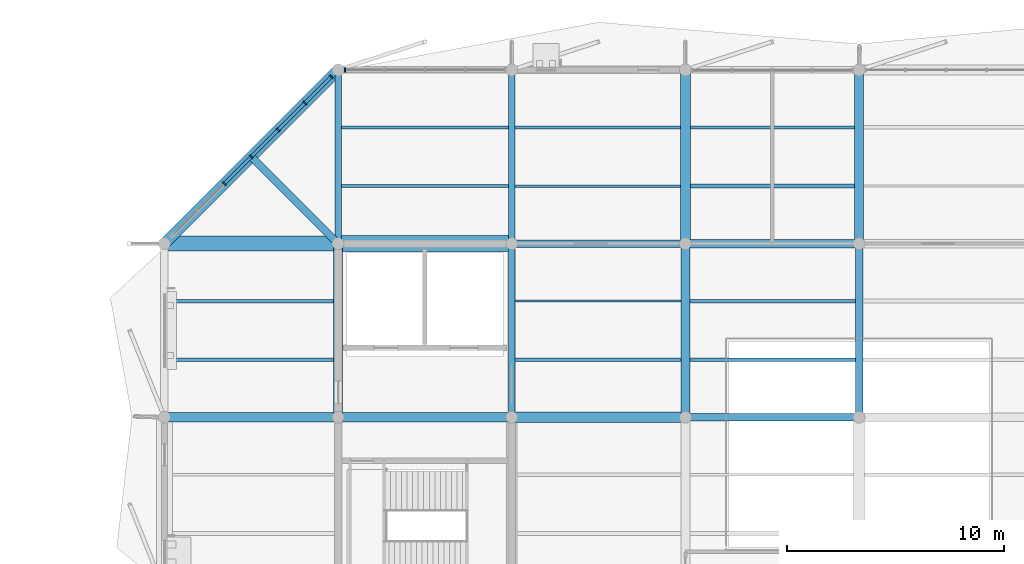
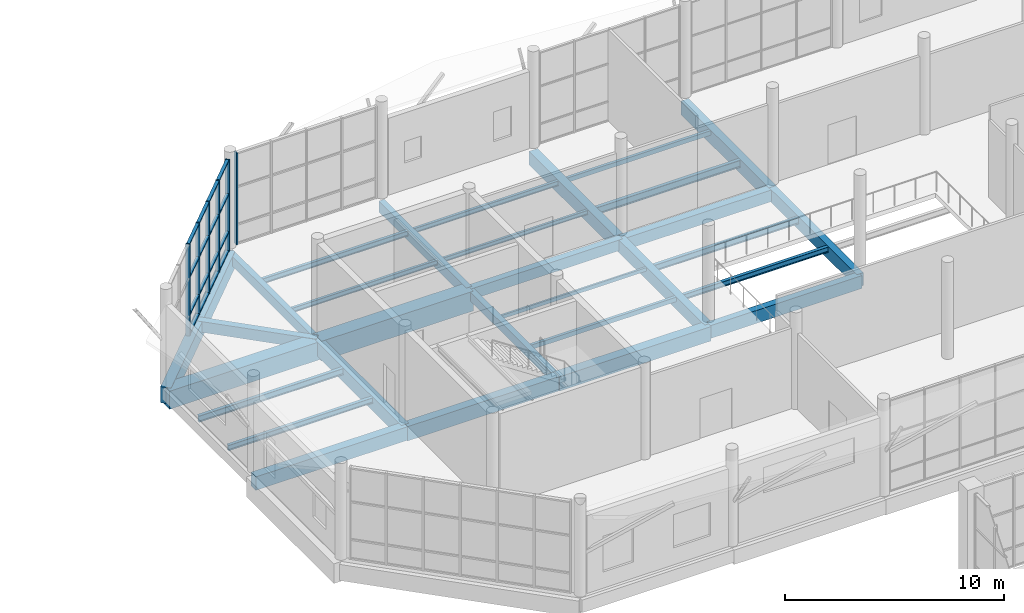
# One storey, part 48 of 122: 30 beams, 22 members, 2 elements without a shape of their own.
"""IFC4 building model written with IfcOpenShell, lengths in metres."""

from ifc_helpers import new_model, si_unit, direction, frame, origin, origin_2d, place, context, subcontext, project, spatial, rectangle, hollow_rectangle, i_section, extrude, material, material_profile, profile_set, type_object, element, aggregate, save


model = new_model("IFC4")

# Units and contexts
model_context = context("Model", 3, precision=1e-05, world=origin(), true_north=direction((0.0, 1.0)))
body_context = subcontext(model_context, "Body", "Model", "MODEL_VIEW")
ifc_project = project(units=[si_unit("LENGTHUNIT", "METRE"), si_unit("AREAUNIT", "SQUARE_METRE"), si_unit("VOLUMEUNIT", "CUBIC_METRE"), si_unit("PLANEANGLEUNIT", "RADIAN"), si_unit("MASSUNIT", "GRAM", prefix="KILO")], contexts=[model_context])

# Site, building, storey
site_placement = place(None, origin())
site = spatial("IfcSite", under=ifc_project, at=site_placement, CompositionType="ELEMENT")
building_placement = place(site_placement, origin())
building = spatial("IfcBuilding", under=site, at=building_placement, Name="Tenunan Teduh Sports Hall", CompositionType="ELEMENT")
storey_placement = place(building_placement, frame((0.0, 0.0, 5.39990234375)))
storey = spatial("IfcBuildingStorey", under=building, at=storey_placement, Name="L01", CompositionType="ELEMENT", Elevation=5.39990234375)

# Beams
ifc_material_1 = material(Name="Concrete C40/50", Category="concrete")
ifc_material_profile_1 = material_profile(ifc_material_1, rectangle(XDim=0.300048828125, YDim=0.5, at=origin_2d()), Name="RCB 300x500")
ifc_profile_set_1 = profile_set([ifc_material_profile_1], Name="Concrete C40/50")
beam_type_1 = type_object("IfcBeamType", Name="BM-RC-300x500", PredefinedType="BEAM", material=ifc_profile_set_1)
beam_1_placement = place(storey_placement, frame((114.0, 102.0, -0.510009765625), z_axis=(0.0, 1.0, 0.0), x_axis=(-1.0, 0.0, 0.0)))
element("IfcBeam", 1, at=beam_1_placement, inside=storey, type_object=beam_type_1, Name="BM-B-01-L01-1263", PredefinedType="BEAM", context=body_context, shape_type="SweptSolid", body=[
    extrude(rectangle(XDim=0.300048828125, YDim=0.5, at=origin_2d()), origin(), (0.0, 0.0, 1.0), 8.0),
])
ifc_material_2 = material(Name="Concrete C40/50", Category="concrete")
ifc_material_profile_2 = material_profile(ifc_material_2, rectangle(XDim=0.300048828125, YDim=0.550048828125, at=origin_2d()), Name="RCB 300x550")
ifc_profile_set_2 = profile_set([ifc_material_profile_2], Name="Concrete C40/50")
beam_type_2 = type_object("IfcBeamType", Name="BM-RC-300x550", PredefinedType="BEAM", material=ifc_profile_set_2)
beam_2_placement = place(storey_placement, frame((106.0, 110.0, -0.534912109375), z_axis=(0.0, 1.0, 0.0), x_axis=(-1.0, 0.0, 0.0)))
element("IfcBeam", 2, at=beam_2_placement, inside=storey, type_object=beam_type_2, Name="BM-B-02-L01-1259", PredefinedType="BEAM", context=body_context, shape_type="SweptSolid", body=[
    extrude(rectangle(XDim=0.300048828125, YDim=0.550048828125, at=origin_2d()), origin(), (0.0, 0.0, 1.0), 8.0),
])
ifc_material_3 = material(Name="Concrete C40/50", Category="concrete")
ifc_material_profile_3 = material_profile(ifc_material_3, rectangle(XDim=0.300048828125, YDim=0.60009765625, at=origin_2d()), Name="RCB 300x600")
ifc_profile_set_3 = profile_set([ifc_material_profile_3], Name="Concrete C40/50")
beam_type_3 = type_object("IfcBeamType", Name="BM-RC-300x600", PredefinedType="BEAM", material=ifc_profile_set_3)
beam_3_placement = place(storey_placement, frame((114.0, 110.0, -0.559814453125), z_axis=(0.0, 1.0, 0.0), x_axis=(-1.0, 0.0, 0.0)))
element("IfcBeam", 3, at=beam_3_placement, inside=storey, type_object=beam_type_3, Name="BM-B-03-L01-1264", PredefinedType="BEAM", context=body_context, shape_type="SweptSolid", body=[
    extrude(rectangle(XDim=0.300048828125, YDim=0.60009765625, at=origin_2d()), origin(), (0.0, 0.0, 1.0), 8.0),
])
ifc_material_4 = material(Name="Concrete C40/50", Category="concrete")
ifc_material_profile_4 = material_profile(ifc_material_4, rectangle(XDim=0.35009765625, YDim=0.60009765625, at=origin_2d()), Name="RCB 350x600")
ifc_profile_set_4 = profile_set([ifc_material_profile_4], Name="Concrete C40/50")
beam_type_4 = type_object("IfcBeamType", Name="BM-RC-350x600", PredefinedType="BEAM", material=ifc_profile_set_4)
beam_4_placement = place(storey_placement, frame((114.0, 110.0, -0.559814453125), z_axis=(1.0, 0.0, 0.0), x_axis=(0.0, 1.0, 0.0)))
element("IfcBeam", 4, at=beam_4_placement, inside=storey, type_object=beam_type_4, Name="BM-B-04-L01-1166", PredefinedType="BEAM", context=body_context, shape_type="SweptSolid", body=[
    extrude(rectangle(XDim=0.35009765625, YDim=0.60009765625, at=origin_2d()), origin(), (0.0, 0.0, 1.0), 8.0),
])
beam_5_placement = place(storey_placement, frame((106.0, 110.0, -0.5498046875), z_axis=(-0.707106781187, 0.707106781187, 0.0), x_axis=(-0.707106781187, -0.707106781187, 0.0)))
element("IfcBeam", 5, at=beam_5_placement, inside=storey, type_object=beam_type_4, Name="BM-B-04-L01-2232", PredefinedType="BEAM", context=body_context, shape_type="SweptSolid", body=[
    extrude(rectangle(XDim=0.35009765625, YDim=0.60009765625, at=origin_2d()), origin(), (0.0, 0.0, 1.0), 5.65673828125),
])
ifc_material_5 = material(Name="Concrete C40/50", Category="concrete")
ifc_material_profile_5 = material_profile(ifc_material_5, rectangle(XDim=0.39990234375, YDim=0.64990234375, at=origin_2d()), Name="RCB 400x650")
ifc_profile_set_5 = profile_set([ifc_material_profile_5], Name="Concrete C40/50")
beam_type_5 = type_object("IfcBeamType", Name="BM-RC-400x650", PredefinedType="BEAM", material=ifc_profile_set_5)
beam_6_placement = place(storey_placement, frame((122.0, 110.0, -0.5849609375), z_axis=(1.0, 0.0, 0.0), x_axis=(0.0, 1.0, 0.0)))
element("IfcBeam", 6, at=beam_6_placement, inside=storey, type_object=beam_type_5, Name="BM-B-07-L01-1167", PredefinedType="BEAM", context=body_context, shape_type="SweptSolid", body=[
    extrude(rectangle(XDim=0.39990234375, YDim=0.64990234375, at=origin_2d()), origin(), (0.0, 0.0, 1.0), 8.0),
])
ifc_material_6 = material(Name="Concrete C40/50", Category="concrete")
ifc_material_profile_6 = material_profile(ifc_material_6, rectangle(XDim=0.39990234375, YDim=0.699951171875, at=origin_2d()), Name="RCB 400x700")
ifc_profile_set_6 = profile_set([ifc_material_profile_6], Name="Concrete C40/50")
beam_type_6 = type_object("IfcBeamType", Name="BM-RC-400x700", PredefinedType="BEAM", material=ifc_profile_set_6)
beam_7_placement = place(storey_placement, frame((122.0, 102.0, -0.60986328125), z_axis=(0.0, 1.0, 0.0), x_axis=(-1.0, 0.0, 0.0)))
element("IfcBeam", 7, at=beam_7_placement, inside=storey, type_object=beam_type_6, Name="BM-B-08-L01-1275", PredefinedType="BEAM", context=body_context, shape_type="SweptSolid", body=[
    extrude(rectangle(XDim=0.39990234375, YDim=0.699951171875, at=origin_2d()), origin(), (0.0, 0.0, 1.0), 8.0),
])
ifc_material_7 = material(Name="Concrete C40/50", Category="concrete")
ifc_material_profile_7 = material_profile(ifc_material_7, rectangle(XDim=0.449951171875, YDim=0.75, at=origin_2d()), Name="RCB 450x750")
ifc_profile_set_7 = profile_set([ifc_material_profile_7], Name="Concrete C40/50")
beam_type_7 = type_object("IfcBeamType", Name="BM-RC-450x750", PredefinedType="BEAM", material=ifc_profile_set_7)
for number, where, z_axis, x_axis, name in (
    (8, (98.0, 102.0, -0.635009765625), (1.0, 0.0, 0.0), (0.0, 1.0, 0.0), "BM-B-11-L01-1147"),
    (9, (122.0, 110.0, -0.635009765625), (0.0, 1.0, 0.0), (-1.0, 0.0, 0.0), "BM-B-11-L01-1276"),
):
    element("IfcBeam", number, at=place(storey_placement, frame(where, z_axis=z_axis, x_axis=x_axis)), inside=storey, type_object=beam_type_7, Name=name, PredefinedType="BEAM", context=body_context, shape_type="SweptSolid", body=[
        extrude(rectangle(XDim=0.449951171875, YDim=0.75, at=origin_2d()), origin(), (0.0, 0.0, 1.0), 8.0),
    ])
ifc_material_8 = material(Name="Concrete C40/50", Category="concrete")
ifc_material_profile_8 = material_profile(ifc_material_8, rectangle(XDim=0.449951171875, YDim=0.800048828125, at=origin_2d()), Name="RCB 450x800")
ifc_profile_set_8 = profile_set([ifc_material_profile_8], Name="Concrete C40/50")
beam_type_8 = type_object("IfcBeamType", Name="BM-RC-450x800", PredefinedType="BEAM", material=ifc_profile_set_8)
beam_8_placement = place(storey_placement, frame((106.0, 102.0, -0.659912109375), z_axis=(1.0, 0.0, 0.0), x_axis=(0.0, 1.0, 0.0)))
element("IfcBeam", 10, at=beam_8_placement, inside=storey, type_object=beam_type_8, Name="BM-B-12-L01-1148", PredefinedType="BEAM", context=body_context, shape_type="SweptSolid", body=[
    extrude(rectangle(XDim=0.449951171875, YDim=0.800048828125, at=origin_2d()), origin(), (0.0, 0.0, 1.0), 8.0),
])
ifc_material_9 = material(Name="Concrete C40/50", Category="concrete")
ifc_material_profile_9 = material_profile(ifc_material_9, rectangle(XDim=0.5, YDim=0.800048828125, at=origin_2d()), Name="RCB 500x800")
ifc_profile_set_9 = profile_set([ifc_material_profile_9], Name="Concrete C40/50")
beam_type_9 = type_object("IfcBeamType", Name="BM-RC-500x800", PredefinedType="BEAM", material=ifc_profile_set_9)
beam_9_placement = place(storey_placement, frame((114.0, 102.0, -0.659912109375), z_axis=(1.0, 0.0, 0.0), x_axis=(0.0, 1.0, 0.0)))
element("IfcBeam", 11, at=beam_9_placement, inside=storey, type_object=beam_type_9, Name="BM-B-14-L01-1149", PredefinedType="BEAM", context=body_context, shape_type="SweptSolid", body=[
    extrude(rectangle(XDim=0.5, YDim=0.800048828125, at=origin_2d()), origin(), (0.0, 0.0, 1.0), 8.0),
])
ifc_material_10 = material(Name="Concrete C40/50", Category="concrete")
ifc_material_profile_10 = material_profile(ifc_material_10, rectangle(XDim=0.5, YDim=0.89990234375, at=origin_2d()), Name="RCB 500x900")
ifc_profile_set_10 = profile_set([ifc_material_profile_10], Name="Concrete C40/50")
beam_type_10 = type_object("IfcBeamType", Name="BM-RC-500x900", PredefinedType="BEAM", material=ifc_profile_set_10)
beam_10_placement = place(storey_placement, frame((98.0, 110.0, -0.699951171875), z_axis=(0.707106781187, 0.707106781187, 0.0), x_axis=(-0.707106781187, 0.707106781187, 0.0)))
element("IfcBeam", 12, at=beam_10_placement, inside=storey, type_object=beam_type_10, Name="BM-B-15-L01-0597", PredefinedType="BEAM", context=body_context, shape_type="SweptSolid", body=[
    extrude(rectangle(XDim=0.5, YDim=0.89990234375, at=origin_2d()), origin(), (0.0, 0.0, 1.0), 11.313720703125),
])
ifc_material_11 = material(Name="Concrete C40/50", Category="concrete")
ifc_material_profile_11 = material_profile(ifc_material_11, rectangle(XDim=0.699951171875, YDim=1.0, at=origin_2d()), Name="RCB 700x1000")
ifc_profile_set_11 = profile_set([ifc_material_profile_11], Name="Concrete C40/50")
beam_type_11 = type_object("IfcBeamType", Name="BM-RC-700x1000", PredefinedType="SPANDREL", material=ifc_profile_set_11)
beam_11_placement = place(storey_placement, frame((98.0, 110.0, -0.760009765625), z_axis=(1.0, 0.0, 0.0), x_axis=(0.0, 1.0, 0.0)))
element("IfcBeam", 13, at=beam_11_placement, inside=storey, type_object=beam_type_11, Name="BM-B-19-L01-1164", PredefinedType="SPANDREL", context=body_context, shape_type="SweptSolid", body=[
    extrude(rectangle(XDim=0.699951171875, YDim=1.0, at=origin_2d()), origin(), (0.0, 0.0, 1.0), 8.0),
])
ifc_material_12 = material(Name="Concrete C40/50", Category="concrete")
ifc_material_profile_12 = material_profile(ifc_material_12, rectangle(XDim=0.75, YDim=1.10009765625, at=origin_2d()), Name="RCB 750x1100")
ifc_profile_set_12 = profile_set([ifc_material_profile_12], Name="Concrete C40/50")
beam_type_12 = type_object("IfcBeamType", Name="BM-RC-750x1100", PredefinedType="SPANDREL", material=ifc_profile_set_12)
beam_12_placement = place(storey_placement, frame((106.0, 110.0, -0.809814453125), z_axis=(1.0, 0.0, 0.0), x_axis=(0.0, 1.0, 0.0)))
element("IfcBeam", 14, at=beam_12_placement, inside=storey, type_object=beam_type_12, Name="BM-B-20-L01-1165", PredefinedType="SPANDREL", context=body_context, shape_type="SweptSolid", body=[
    extrude(rectangle(XDim=0.75, YDim=1.10009765625, at=origin_2d()), origin(), (0.0, 0.0, 1.0), 8.0),
])
ifc_material_13 = material(Name="Concrete C40/50", Category="concrete")
ifc_material_profile_13 = material_profile(ifc_material_13, rectangle(XDim=0.35009765625, YDim=0.719970703125, at=origin_2d()), Name="TB 350x720")
ifc_profile_set_13 = profile_set([ifc_material_profile_13], Name="Concrete C40/50")
beam_type_13 = type_object("IfcBeamType", Name="BM-TB-350x720", PredefinedType="T_BEAM", material=ifc_profile_set_13)
for number, where, z_axis, x_axis, name in (
    (15, (122.0, 102.0, -0.619873046875), (1.0, 0.0, 0.0), (0.0, 1.0, 0.0), "BM-TB-01-L01-1150"),
    (16, (130.0, 102.0, -0.619873046875), (0.0, 1.0, 0.0), (-1.0, 0.0, 0.0), "BM-TB-01-L01-1279"),
):
    element("IfcBeam", number, at=place(storey_placement, frame(where, z_axis=z_axis, x_axis=x_axis)), inside=storey, type_object=beam_type_13, Name=name, PredefinedType="T_BEAM", context=body_context, shape_type="SweptSolid", body=[
        extrude(rectangle(XDim=0.35009765625, YDim=0.719970703125, at=origin_2d()), origin(), (0.0, 0.0, 1.0), 8.0),
    ])
ifc_material_14 = material(Name="Concrete C40/50", Category="concrete")
ifc_material_profile_14 = material_profile(ifc_material_14, rectangle(XDim=0.39990234375, YDim=0.780029296875, at=origin_2d()), Name="TB 400x780")
ifc_profile_set_14 = profile_set([ifc_material_profile_14], Name="Concrete C40/50")
beam_type_14 = type_object("IfcBeamType", Name="BM-TB-400x780", PredefinedType="T_BEAM", material=ifc_profile_set_14)
for number, where, z_axis, x_axis, name in (
    (17, (106.0, 102.0, -0.64990234375), (0.0, 1.0, 0.0), (-1.0, 0.0, 0.0), "BM-TB-02-L01-1258"),
    (18, (130.0, 110.0, -0.64990234375), (0.0, 1.0, 0.0), (-1.0, 0.0, 0.0), "BM-TB-02-L01-1280"),
):
    element("IfcBeam", number, at=place(storey_placement, frame(where, z_axis=z_axis, x_axis=x_axis)), inside=storey, type_object=beam_type_14, Name=name, PredefinedType="T_BEAM", context=body_context, shape_type="SweptSolid", body=[
        extrude(rectangle(XDim=0.39990234375, YDim=0.780029296875, at=origin_2d()), origin(), (0.0, 0.0, 1.0), 8.0),
    ])

# Curtain wall, members
ifc_material_15 = material(Name="Anodised aluminium", Category="aluminium")
curtain_wall_type = type_object("IfcCurtainWallType", Name="CW-UNIT-1", PredefinedType="NOTDEFINED", material=ifc_material_15)
curtain_wall_1_placement = place(storey_placement, origin())
curtain_wall_1 = element("IfcCurtainWall", 19, at=curtain_wall_1_placement, inside=storey, type_object=curtain_wall_type, Name="CW-CWM-200-L01-252", PredefinedType="NOTDEFINED")
ifc_material_16 = material(Name="Anodised aluminium", Category="aluminium")
ifc_material_profile_15 = material_profile(ifc_material_16, rectangle(XDim=0.070068359375, YDim=0.199951171875, at=origin_2d()), Name="CWM 70x200")
ifc_profile_set_15 = profile_set([ifc_material_profile_15], Name="Anodised aluminium")
member_type_1 = type_object("IfcMemberType", Name="CWM-200", PredefinedType="MULLION", material=ifc_profile_set_15)
member_1_placement = place(storey_placement, frame((100.762939453125, 112.762939453125, 0.0), z_axis=(0.0, 0.0, 1.0), x_axis=(0.707106781187, 0.707106781187, 0.0)))
member_1 = element("IfcMember", 20, at=member_1_placement, type_object=member_type_1, Name="CW-01 mullion 3", PredefinedType="MULLION", context=body_context, shape_type="SweptSolid", body=[
    extrude(rectangle(XDim=0.070068359375, YDim=0.199951171875, at=origin_2d()), origin(), (0.0, 0.0, 1.0), 5.1201171875),
])
member_2_placement = place(storey_placement, frame((102.0, 114.0, 0.0), z_axis=(0.0, 0.0, 1.0), x_axis=(0.707106781187, 0.707106781187, 0.0)))
member_2 = element("IfcMember", 21, at=member_2_placement, type_object=member_type_1, Name="CW-01 mullion 4", PredefinedType="MULLION", context=body_context, shape_type="SweptSolid", body=[
    extrude(rectangle(XDim=0.070068359375, YDim=0.199951171875, at=origin_2d()), origin(), (0.0, 0.0, 1.0), 5.1201171875),
])
member_3_placement = place(storey_placement, frame((103.237060546875, 115.237060546875, 0.0), z_axis=(0.0, 0.0, 1.0), x_axis=(0.707106781187, 0.707106781187, 0.0)))
member_3 = element("IfcMember", 22, at=member_3_placement, type_object=member_type_1, Name="CW-01 mullion 5", PredefinedType="MULLION", context=body_context, shape_type="SweptSolid", body=[
    extrude(rectangle(XDim=0.070068359375, YDim=0.199951171875, at=origin_2d()), origin(), (0.0, 0.0, 1.0), 5.1201171875),
])
member_4_placement = place(storey_placement, frame((104.47412109375, 116.47412109375, 0.0), z_axis=(0.0, 0.0, 1.0), x_axis=(0.707106781187, 0.707106781187, 0.0)))
member_4 = element("IfcMember", 23, at=member_4_placement, type_object=member_type_1, Name="CW-01 mullion 6", PredefinedType="MULLION", context=body_context, shape_type="SweptSolid", body=[
    extrude(rectangle(XDim=0.070068359375, YDim=0.199951171875, at=origin_2d()), origin(), (0.0, 0.0, 1.0), 5.1201171875),
])
member_5_placement = place(storey_placement, frame((105.6865234375, 117.6865234375, 0.0), z_axis=(0.0, 0.0, 1.0), x_axis=(0.707106781187, 0.707106781187, 0.0)))
member_5 = element("IfcMember", 24, at=member_5_placement, type_object=member_type_1, Name="CW-01 mullion 7", PredefinedType="MULLION", context=body_context, shape_type="SweptSolid", body=[
    extrude(rectangle(XDim=0.070068359375, YDim=0.199951171875, at=origin_2d()), origin(), (0.0, 0.0, 1.0), 5.1201171875),
])

# Curtain wall, member
curtain_wall_2_placement = place(storey_placement, origin())
curtain_wall_2 = element("IfcCurtainWall", 25, at=curtain_wall_2_placement, inside=storey, type_object=curtain_wall_type, Name="CW-CWM-220-L01-249", PredefinedType="NOTDEFINED")
ifc_material_17 = material(Name="Anodised aluminium", Category="aluminium")
ifc_material_profile_16 = material_profile(ifc_material_17, rectangle(XDim=0.074951171875, YDim=0.219970703125, at=origin_2d()), Name="CWM 75x220")
ifc_profile_set_16 = profile_set([ifc_material_profile_16], Name="Anodised aluminium")
member_type_2 = type_object("IfcMemberType", Name="CWM-220", PredefinedType="MULLION", material=ifc_profile_set_16)
member_6_placement = place(storey_placement, frame((106.3125, 118.0, 0.0), z_axis=(0.0, 0.0, 1.0), x_axis=(1.0, 0.0, 0.0)))
member_6 = element("IfcMember", 26, at=member_6_placement, type_object=member_type_2, Name="CW-01 mullion 1", PredefinedType="MULLION", context=body_context, shape_type="SweptSolid", body=[
    extrude(rectangle(XDim=0.074951171875, YDim=0.219970703125, at=origin_2d()), origin(), (0.0, 0.0, 1.0), 5.1201171875),
])
aggregate(curtain_wall_2, [member_6])

# Member
ifc_material_18 = material(Name="Anodised aluminium", Category="aluminium")
ifc_material_profile_17 = material_profile(ifc_material_18, rectangle(XDim=0.070068359375, YDim=0.159912109375, at=origin_2d()), Name="CWT 70x160")
ifc_profile_set_17 = profile_set([ifc_material_profile_17], Name="Anodised aluminium")
member_type_3 = type_object("IfcMemberType", Name="CWT-200", PredefinedType="USERDEFINED", material=ifc_profile_set_17)
member_7_placement = place(storey_placement, frame((100.78759765625, 112.78759765625, 0.03515625), z_axis=(0.707106781187, 0.707106781187, 0.0), x_axis=(0.0, 0.0, 1.0)))
member_7 = element("IfcMember", 27, at=member_7_placement, type_object=member_type_3, Name="CW-01 transom 3.1", ObjectType="TRANSOM", PredefinedType="USERDEFINED", context=body_context, shape_type="SweptSolid", body=[
    extrude(rectangle(XDim=0.070068359375, YDim=0.159912109375, at=origin_2d()), origin(), (0.0, 0.0, 1.0), 1.6796875),
])

member_8_placement = place(storey_placement, frame((100.78759765625, 112.78759765625, 1.10009765625), z_axis=(0.707106781187, 0.707106781187, 0.0), x_axis=(0.0, 0.0, 1.0)))
member_8 = element("IfcMember", 28, at=member_8_placement, type_object=member_type_3, Name="CW-01 transom 3.2", ObjectType="TRANSOM", PredefinedType="USERDEFINED", context=body_context, shape_type="SweptSolid", body=[
    extrude(rectangle(XDim=0.070068359375, YDim=0.159912109375, at=origin_2d()), origin(), (0.0, 0.0, 1.0), 1.6796875),
])

member_9_placement = place(storey_placement, frame((100.78759765625, 112.78759765625, 3.2001953125), z_axis=(0.707106781187, 0.707106781187, 0.0), x_axis=(0.0, 0.0, 1.0)))
member_9 = element("IfcMember", 29, at=member_9_placement, type_object=member_type_3, Name="CW-01 transom 3.3", ObjectType="TRANSOM", PredefinedType="USERDEFINED", context=body_context, shape_type="SweptSolid", body=[
    extrude(rectangle(XDim=0.070068359375, YDim=0.159912109375, at=origin_2d()), origin(), (0.0, 0.0, 1.0), 1.6796875),
])

member_10_placement = place(storey_placement, frame((100.78759765625, 112.78759765625, 5.085205078125), z_axis=(0.707106781187, 0.707106781187, 0.0), x_axis=(0.0, 0.0, 1.0)))
member_10 = element("IfcMember", 30, at=member_10_placement, type_object=member_type_3, Name="CW-01 transom 3.4", ObjectType="TRANSOM", PredefinedType="USERDEFINED", context=body_context, shape_type="SweptSolid", body=[
    extrude(rectangle(XDim=0.070068359375, YDim=0.159912109375, at=origin_2d()), origin(), (0.0, 0.0, 1.0), 1.6796875),
])

member_11_placement = place(storey_placement, frame((102.024658203125, 114.024658203125, 0.03515625), z_axis=(0.707106781187, 0.707106781187, 0.0), x_axis=(0.0, 0.0, 1.0)))
member_11 = element("IfcMember", 31, at=member_11_placement, type_object=member_type_3, Name="CW-01 transom 4.1", ObjectType="TRANSOM", PredefinedType="USERDEFINED", context=body_context, shape_type="SweptSolid", body=[
    extrude(rectangle(XDim=0.070068359375, YDim=0.159912109375, at=origin_2d()), origin(), (0.0, 0.0, 1.0), 1.6796875),
])

member_12_placement = place(storey_placement, frame((102.024658203125, 114.024658203125, 1.10009765625), z_axis=(0.707106781187, 0.707106781187, 0.0), x_axis=(0.0, 0.0, 1.0)))
member_12 = element("IfcMember", 32, at=member_12_placement, type_object=member_type_3, Name="CW-01 transom 4.2", ObjectType="TRANSOM", PredefinedType="USERDEFINED", context=body_context, shape_type="SweptSolid", body=[
    extrude(rectangle(XDim=0.070068359375, YDim=0.159912109375, at=origin_2d()), origin(), (0.0, 0.0, 1.0), 1.6796875),
])

member_13_placement = place(storey_placement, frame((102.024658203125, 114.024658203125, 3.2001953125), z_axis=(0.707106781187, 0.707106781187, 0.0), x_axis=(0.0, 0.0, 1.0)))
member_13 = element("IfcMember", 33, at=member_13_placement, type_object=member_type_3, Name="CW-01 transom 4.3", ObjectType="TRANSOM", PredefinedType="USERDEFINED", context=body_context, shape_type="SweptSolid", body=[
    extrude(rectangle(XDim=0.070068359375, YDim=0.159912109375, at=origin_2d()), origin(), (0.0, 0.0, 1.0), 1.6796875),
])

member_14_placement = place(storey_placement, frame((102.024658203125, 114.024658203125, 5.085205078125), z_axis=(0.707106781187, 0.707106781187, 0.0), x_axis=(0.0, 0.0, 1.0)))
member_14 = element("IfcMember", 34, at=member_14_placement, type_object=member_type_3, Name="CW-01 transom 4.4", ObjectType="TRANSOM", PredefinedType="USERDEFINED", context=body_context, shape_type="SweptSolid", body=[
    extrude(rectangle(XDim=0.070068359375, YDim=0.159912109375, at=origin_2d()), origin(), (0.0, 0.0, 1.0), 1.6796875),
])

member_15_placement = place(storey_placement, frame((103.261962890625, 115.261962890625, 0.03515625), z_axis=(0.707106781187, 0.707106781187, 0.0), x_axis=(0.0, 0.0, 1.0)))
member_15 = element("IfcMember", 35, at=member_15_placement, type_object=member_type_3, Name="CW-01 transom 5.1", ObjectType="TRANSOM", PredefinedType="USERDEFINED", context=body_context, shape_type="SweptSolid", body=[
    extrude(rectangle(XDim=0.070068359375, YDim=0.159912109375, at=origin_2d()), origin(), (0.0, 0.0, 1.0), 1.679443359375),
])

member_16_placement = place(storey_placement, frame((103.261962890625, 115.261962890625, 1.10009765625), z_axis=(0.707106781187, 0.707106781187, 0.0), x_axis=(0.0, 0.0, 1.0)))
member_16 = element("IfcMember", 36, at=member_16_placement, type_object=member_type_3, Name="CW-01 transom 5.2", ObjectType="TRANSOM", PredefinedType="USERDEFINED", context=body_context, shape_type="SweptSolid", body=[
    extrude(rectangle(XDim=0.070068359375, YDim=0.159912109375, at=origin_2d()), origin(), (0.0, 0.0, 1.0), 1.679443359375),
])

member_17_placement = place(storey_placement, frame((103.261962890625, 115.261962890625, 3.2001953125), z_axis=(0.707106781187, 0.707106781187, 0.0), x_axis=(0.0, 0.0, 1.0)))
member_17 = element("IfcMember", 37, at=member_17_placement, type_object=member_type_3, Name="CW-01 transom 5.3", ObjectType="TRANSOM", PredefinedType="USERDEFINED", context=body_context, shape_type="SweptSolid", body=[
    extrude(rectangle(XDim=0.070068359375, YDim=0.159912109375, at=origin_2d()), origin(), (0.0, 0.0, 1.0), 1.679443359375),
])

member_18_placement = place(storey_placement, frame((103.261962890625, 115.261962890625, 5.085205078125), z_axis=(0.707106781187, 0.707106781187, 0.0), x_axis=(0.0, 0.0, 1.0)))
member_18 = element("IfcMember", 38, at=member_18_placement, type_object=member_type_3, Name="CW-01 transom 5.4", ObjectType="TRANSOM", PredefinedType="USERDEFINED", context=body_context, shape_type="SweptSolid", body=[
    extrude(rectangle(XDim=0.070068359375, YDim=0.159912109375, at=origin_2d()), origin(), (0.0, 0.0, 1.0), 1.679443359375),
])

member_19_placement = place(storey_placement, frame((104.4990234375, 116.4990234375, 0.03515625), z_axis=(0.707106781187, 0.707106781187, 0.0), x_axis=(0.0, 0.0, 1.0)))
member_19 = element("IfcMember", 39, at=member_19_placement, type_object=member_type_3, Name="CW-01 transom 6.1", ObjectType="TRANSOM", PredefinedType="USERDEFINED", context=body_context, shape_type="SweptSolid", body=[
    extrude(rectangle(XDim=0.070068359375, YDim=0.159912109375, at=origin_2d()), origin(), (0.0, 0.0, 1.0), 1.64453125),
])

member_20_placement = place(storey_placement, frame((104.4990234375, 116.4990234375, 1.10009765625), z_axis=(0.707106781187, 0.707106781187, 0.0), x_axis=(0.0, 0.0, 1.0)))
member_20 = element("IfcMember", 40, at=member_20_placement, type_object=member_type_3, Name="CW-01 transom 6.2", ObjectType="TRANSOM", PredefinedType="USERDEFINED", context=body_context, shape_type="SweptSolid", body=[
    extrude(rectangle(XDim=0.070068359375, YDim=0.159912109375, at=origin_2d()), origin(), (0.0, 0.0, 1.0), 1.64453125),
])

member_21_placement = place(storey_placement, frame((104.4990234375, 116.4990234375, 3.2001953125), z_axis=(0.707106781187, 0.707106781187, 0.0), x_axis=(0.0, 0.0, 1.0)))
member_21 = element("IfcMember", 41, at=member_21_placement, type_object=member_type_3, Name="CW-01 transom 6.3", ObjectType="TRANSOM", PredefinedType="USERDEFINED", context=body_context, shape_type="SweptSolid", body=[
    extrude(rectangle(XDim=0.070068359375, YDim=0.159912109375, at=origin_2d()), origin(), (0.0, 0.0, 1.0), 1.64453125),
])

member_22_placement = place(storey_placement, frame((104.4990234375, 116.4990234375, 5.085205078125), z_axis=(0.707106781187, 0.707106781187, 0.0), x_axis=(0.0, 0.0, 1.0)))
member_22 = element("IfcMember", 42, at=member_22_placement, type_object=member_type_3, Name="CW-01 transom 6.4", ObjectType="TRANSOM", PredefinedType="USERDEFINED", context=body_context, shape_type="SweptSolid", body=[
    extrude(rectangle(XDim=0.070068359375, YDim=0.159912109375, at=origin_2d()), origin(), (0.0, 0.0, 1.0), 1.64453125),
])

aggregate(curtain_wall_1, [member_1, member_2, member_3, member_4, member_5, member_7, member_8, member_9, member_10, member_11, member_12, member_13, member_14, member_15, member_16, member_17, member_18, member_19, member_20, member_21, member_22])

# Beams
ifc_material_19 = material(Name="Steel S355", Category="steel")
ifc_material_profile_18 = material_profile(ifc_material_19, i_section(OverallWidth=0.1201171875, OverallDepth=0.239990234375, WebThickness=0.006103515625, FlangeThickness=0.009765625, FilletRadius=0.014892578125, at=origin_2d()), Name="IPE 240")
ifc_profile_set_18 = profile_set([ifc_material_profile_18], Name="Steel S355")
beam_type_15 = type_object("IfcBeamType", Name="JST-IPE240", PredefinedType="JOIST", material=ifc_profile_set_18)
beam_13_placement = place(storey_placement, frame((114.14990234375, 112.64990234375, -0.3798828125), z_axis=(1.0, 0.0, 0.0), x_axis=(0.0, 1.0, 0.0)))
element("IfcBeam", 43, at=beam_13_placement, inside=storey, type_object=beam_type_15, Name="BM-J-02-L01-1408", PredefinedType="JOIST", context=body_context, shape_type="SweptSolid", body=[
    extrude(i_section(OverallWidth=0.1201171875, OverallDepth=0.239990234375, WebThickness=0.006103515625, FlangeThickness=0.009765625, FilletRadius=0.014892578125, at=origin_2d()), origin(), (0.0, 0.0, 1.0), 7.625),
])
ifc_material_20 = material(Name="Steel S355", Category="steel")
ifc_material_profile_19 = material_profile(ifc_material_20, i_section(OverallWidth=0.135009765625, OverallDepth=0.27001953125, WebThickness=0.006591796875, FlangeThickness=0.01025390625, FilletRadius=0.014892578125, at=origin_2d()), Name="IPE 270")
ifc_profile_set_19 = profile_set([ifc_material_profile_19], Name="Steel S355")
beam_type_16 = type_object("IfcBeamType", Name="JST-IPE270", PredefinedType="JOIST", material=ifc_profile_set_19)
beam_14_placement = place(storey_placement, frame((106.14990234375, 112.64990234375, -0.39501953125), z_axis=(1.0, 0.0, 0.0), x_axis=(0.0, 1.0, 0.0)))
element("IfcBeam", 44, at=beam_14_placement, inside=storey, type_object=beam_type_16, Name="BM-J-03-L01-1398", PredefinedType="JOIST", context=body_context, shape_type="SweptSolid", body=[
    extrude(i_section(OverallWidth=0.135009765625, OverallDepth=0.27001953125, WebThickness=0.006591796875, FlangeThickness=0.01025390625, FilletRadius=0.014892578125, at=origin_2d()), origin(), (0.0, 0.0, 1.0), 7.7001953125),
])
beam_15_placement = place(storey_placement, frame((114.14990234375, 115.35009765625, -0.39501953125), z_axis=(1.0, 0.0, 0.0), x_axis=(0.0, 1.0, 0.0)))
element("IfcBeam", 45, at=beam_15_placement, inside=storey, type_object=beam_type_16, Name="BM-J-03-L01-1409", PredefinedType="JOIST", context=body_context, shape_type="SweptSolid", body=[
    extrude(i_section(OverallWidth=0.135009765625, OverallDepth=0.27001953125, WebThickness=0.006591796875, FlangeThickness=0.01025390625, FilletRadius=0.014892578125, at=origin_2d()), origin(), (0.0, 0.0, 1.0), 7.625),
])
ifc_material_21 = material(Name="Steel S355", Category="steel")
ifc_material_profile_20 = material_profile(ifc_material_21, i_section(OverallWidth=0.14990234375, OverallDepth=0.300048828125, WebThickness=0.007080078125, FlangeThickness=0.0107421875, FilletRadius=0.014892578125, at=origin_2d()), Name="IPE 300")
ifc_profile_set_20 = profile_set([ifc_material_profile_20], Name="Steel S355")
beam_type_17 = type_object("IfcBeamType", Name="JST-IPE300", PredefinedType="JOIST", material=ifc_profile_set_20)
beam_16_placement = place(storey_placement, frame((106.14990234375, 115.35009765625, -0.409912109375), z_axis=(1.0, 0.0, 0.0), x_axis=(0.0, 1.0, 0.0)))
element("IfcBeam", 46, at=beam_16_placement, inside=storey, type_object=beam_type_17, Name="BM-J-04-L01-1399", PredefinedType="JOIST", context=body_context, shape_type="SweptSolid", body=[
    extrude(i_section(OverallWidth=0.14990234375, OverallDepth=0.300048828125, WebThickness=0.007080078125, FlangeThickness=0.0107421875, FilletRadius=0.014892578125, at=origin_2d()), origin(), (0.0, 0.0, 1.0), 7.7001953125),
])
ifc_material_22 = material(Name="Steel S355", Category="steel")
ifc_material_profile_21 = material_profile(ifc_material_22, hollow_rectangle(XDim=0.10009765625, YDim=0.199951171875, WallThickness=0.008056640625, at=origin_2d()), Name="RHS 200x100x8.0")
ifc_profile_set_21 = profile_set([ifc_material_profile_21], Name="Steel S355")
beam_type_18 = type_object("IfcBeamType", Name="RBM-RHS200", PredefinedType="JOIST", material=ifc_profile_set_21)
beam_17_placement = place(storey_placement, frame((114.14990234375, 107.35009765625, -0.35986328125), z_axis=(1.0, 0.0, 0.0), x_axis=(0.0, 1.0, 0.0)))
element("IfcBeam", 47, at=beam_17_placement, inside=storey, type_object=beam_type_18, Name="Perimeter Ring Beam BM-RB-05-L01-1407", PredefinedType="JOIST", context=body_context, shape_type="SweptSolid", body=[
    extrude(hollow_rectangle(XDim=0.10009765625, YDim=0.199951171875, WallThickness=0.008056640625, at=origin_2d()), origin(), (0.0, 0.0, 1.0), 7.650146484375),
])
ifc_material_23 = material(Name="Steel S355", Category="steel")
ifc_material_profile_22 = material_profile(ifc_material_23, hollow_rectangle(XDim=0.14990234375, YDim=0.25, WallThickness=0.010009765625, at=origin_2d()), Name="RHS 250x150x10.0")
ifc_profile_set_22 = profile_set([ifc_material_profile_22], Name="Steel S355")
beam_type_19 = type_object("IfcBeamType", Name="RBM-RHS250", PredefinedType="BEAM", material=ifc_profile_set_22)
beam_18_placement = place(storey_placement, frame((114.14990234375, 104.64990234375, -0.385009765625), z_axis=(1.0, 0.0, 0.0), x_axis=(0.0, 1.0, 0.0)))
element("IfcBeam", 48, at=beam_18_placement, inside=storey, type_object=beam_type_19, Name="Perimeter Ring Beam BM-RB-04-L01-1406", PredefinedType="BEAM", context=body_context, shape_type="SweptSolid", body=[
    extrude(hollow_rectangle(XDim=0.14990234375, YDim=0.25, WallThickness=0.010009765625, at=origin_2d()), origin(), (0.0, 0.0, 1.0), 7.650146484375),
])
beam_19_placement = place(storey_placement, frame((122.22509765625, 115.35009765625, -0.385009765625), z_axis=(1.0, 0.0, 0.0), x_axis=(0.0, 1.0, 0.0)))
element("IfcBeam", 49, at=beam_19_placement, inside=storey, type_object=beam_type_19, Name="Perimeter Ring Beam BM-RB-04-L01-1417", PredefinedType="BEAM", context=body_context, shape_type="SweptSolid", body=[
    extrude(hollow_rectangle(XDim=0.14990234375, YDim=0.25, WallThickness=0.010009765625, at=origin_2d()), origin(), (0.0, 0.0, 1.0), 7.574951171875),
])
ifc_material_24 = material(Name="Steel S355", Category="steel")
ifc_material_profile_23 = material_profile(ifc_material_24, i_section(OverallWidth=0.1650390625, OverallDepth=0.303466796875, WebThickness=0.006103515625, FlangeThickness=0.01025390625, FilletRadius=0.0087890625, at=origin_2d()), Name="UKB 305x165x40")
ifc_profile_set_23 = profile_set([ifc_material_profile_23], Name="Steel S355")
beam_type_20 = type_object("IfcBeamType", Name="SBM-UKB305", PredefinedType="BEAM", material=ifc_profile_set_23)
for number, where, z_axis, x_axis, name in (
    (50, (98.175048828125, 104.64990234375, -0.41162109375), (1.0, 0.0, 0.0), (0.0, 1.0, 0.0), "BM-SB-01-L01-1392"),
    (51, (122.199951171875, 104.64990234375, -0.41162109375), (1.0, 0.0, 0.0), (0.0, 1.0, 0.0), "BM-SB-01-L01-1414"),
):
    element("IfcBeam", number, at=place(storey_placement, frame(where, z_axis=z_axis, x_axis=x_axis)), inside=storey, type_object=beam_type_20, Name=name, PredefinedType="BEAM", context=body_context, shape_type="SweptSolid", body=[
        extrude(i_section(OverallWidth=0.1650390625, OverallDepth=0.303466796875, WebThickness=0.006103515625, FlangeThickness=0.01025390625, FilletRadius=0.0087890625, at=origin_2d()), origin(), (0.0, 0.0, 1.0), 7.625),
    ])
ifc_material_25 = material(Name="Steel S355", Category="steel")
ifc_material_profile_24 = material_profile(ifc_material_25, i_section(OverallWidth=0.17138671875, OverallDepth=0.35498046875, WebThickness=0.00732421875, FlangeThickness=0.011474609375, FilletRadius=0.01025390625, at=origin_2d()), Name="UKB 356x171x51")
ifc_profile_set_24 = profile_set([ifc_material_profile_24], Name="Steel S355")
beam_type_21 = type_object("IfcBeamType", Name="SBM-UKB356", PredefinedType="BEAM", material=ifc_profile_set_24)
for number, where, z_axis, x_axis, name in (
    (52, (98.175048828125, 107.35009765625, -0.4375), (1.0, 0.0, 0.0), (0.0, 1.0, 0.0), "BM-SB-02-L01-1393"),
    (53, (122.199951171875, 107.35009765625, -0.4375), (1.0, 0.0, 0.0), (0.0, 1.0, 0.0), "BM-SB-02-L01-1415"),
):
    element("IfcBeam", number, at=place(storey_placement, frame(where, z_axis=z_axis, x_axis=x_axis)), inside=storey, type_object=beam_type_21, Name=name, PredefinedType="BEAM", context=body_context, shape_type="SweptSolid", body=[
        extrude(i_section(OverallWidth=0.17138671875, OverallDepth=0.35498046875, WebThickness=0.00732421875, FlangeThickness=0.011474609375, FilletRadius=0.01025390625, at=origin_2d()), origin(), (0.0, 0.0, 1.0), 7.625),
    ])
ifc_material_26 = material(Name="Steel S355", Category="steel")
ifc_material_profile_25 = material_profile(ifc_material_26, i_section(OverallWidth=0.177978515625, OverallDepth=0.406494140625, WebThickness=0.0078125, FlangeThickness=0.0126953125, FilletRadius=0.01025390625, at=origin_2d()), Name="UKB 406x178x60")
ifc_profile_set_25 = profile_set([ifc_material_profile_25], Name="Steel S355")
beam_type_22 = type_object("IfcBeamType", Name="SBM-UKB406", PredefinedType="BEAM", material=ifc_profile_set_25)
beam_20_placement = place(storey_placement, frame((122.22509765625, 112.64990234375, -0.463134765625), z_axis=(1.0, 0.0, 0.0), x_axis=(0.0, 1.0, 0.0)))
element("IfcBeam", 54, at=beam_20_placement, inside=storey, type_object=beam_type_22, Name="BM-SB-03-L01-1416", PredefinedType="BEAM", context=body_context, shape_type="SweptSolid", body=[
    extrude(i_section(OverallWidth=0.177978515625, OverallDepth=0.406494140625, WebThickness=0.0078125, FlangeThickness=0.0126953125, FilletRadius=0.01025390625, at=origin_2d()), origin(), (0.0, 0.0, 1.0), 7.574951171875),
])

save(model, "model.ifc")
